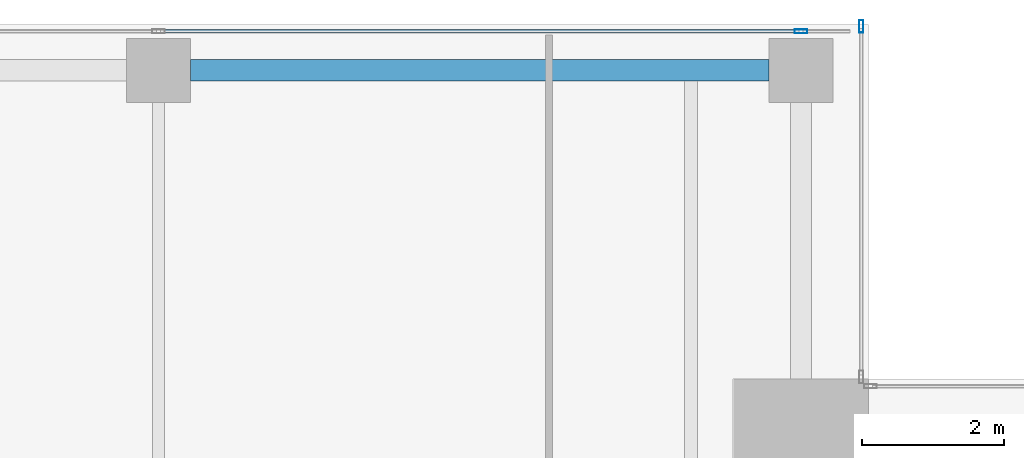
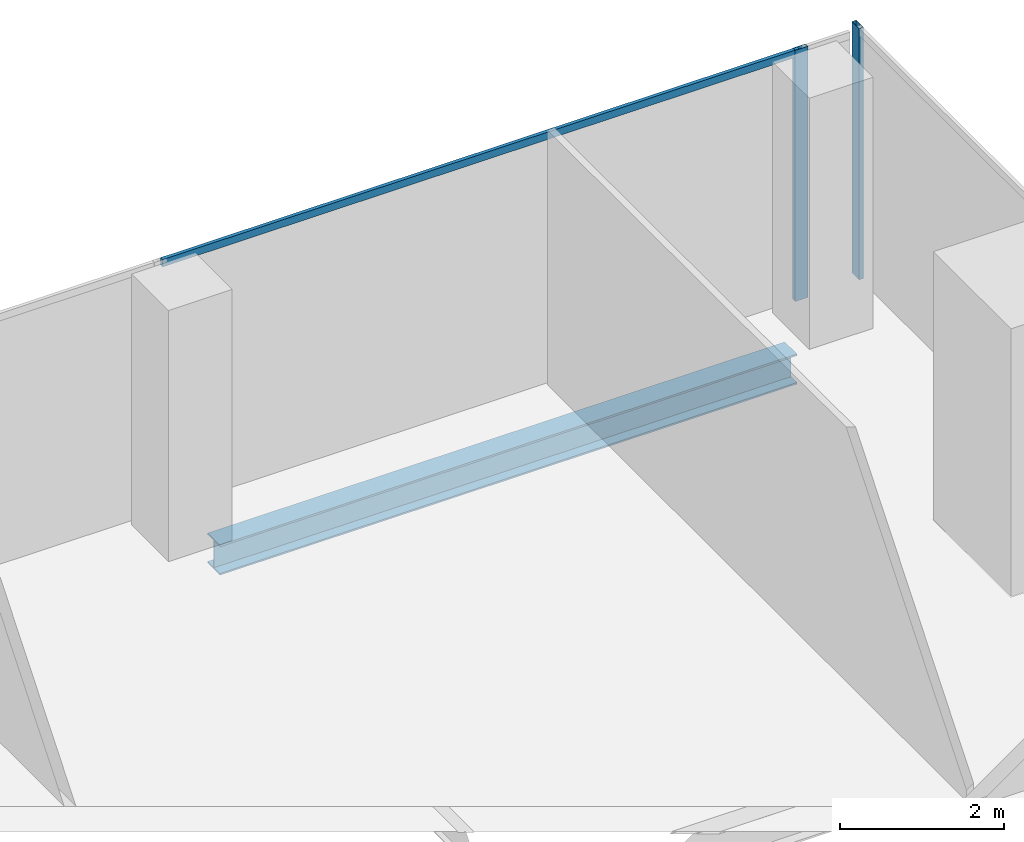
# One storey, part 23 of 35: 3 members, 1 beam, 2 elements without a shape of their own.
"""IFC4 building model written with IfcOpenShell, lengths in metres."""

from ifc_helpers import new_model, si_unit, direction, frame, origin, origin_2d, place, context, subcontext, project, spatial, hollow_rectangle, i_section, extrude, source, transform, mapped, material, material_profile, profile_set, type_object, element, aggregate, save


model = new_model("IFC4")

# Units and contexts
model_context = context("Model", 3, precision=1e-05, world=origin(), true_north=direction((0.0, 1.0)))
body_context = subcontext(model_context, "Body", "Model", "MODEL_VIEW")
ifc_project = project(units=[si_unit("LENGTHUNIT", "METRE"), si_unit("AREAUNIT", "SQUARE_METRE"), si_unit("VOLUMEUNIT", "CUBIC_METRE"), si_unit("PLANEANGLEUNIT", "RADIAN"), si_unit("MASSUNIT", "GRAM", prefix="KILO")], contexts=[model_context])

# Site, building, storey
site_placement = place(None, origin())
site = spatial("IfcSite", under=ifc_project, at=site_placement, CompositionType="ELEMENT")
building_placement = place(site_placement, origin())
building = spatial("IfcBuilding", under=site, at=building_placement, Name="Khomas Fold Tower", CompositionType="ELEMENT")
storey_placement = place(building_placement, frame((0.0, 0.0, 262.199951171875)))
storey = spatial("IfcBuildingStorey", under=building, at=storey_placement, Name="L59", CompositionType="ELEMENT", Elevation=262.199951171875)

# Beam
ifc_material_1 = material(Name="Steel S355", Category="steel")
ifc_material_profile_1 = material_profile(ifc_material_1, i_section(OverallWidth=0.300048828125, OverallDepth=0.449951171875, WebThickness=0.013916015625, FlangeThickness=0.02587890625, at=origin_2d()), Name="HE 450 B")
ifc_profile_set_1 = profile_set([ifc_material_profile_1], Name="Steel S355")
beam_type = type_object("IfcBeamType", Name="HE 450 B spandrel SB4", PredefinedType="SPANDREL", material=ifc_profile_set_1)
shared_shape_1 = source(origin(), body_context, "Body", "SweptSolid", [
    extrude(i_section(OverallWidth=0.300048828125, OverallDepth=0.449951171875, WebThickness=0.013916015625, FlangeThickness=0.02587890625, at=origin_2d()), origin(), (0.0, 0.0, 1.0), 8.150146484375),
])
beam_placement = place(storey_placement, frame((34.949951171875, 48.85009765625, -0.474853515625), z_axis=(1.0, 0.0, 0.0), x_axis=(0.0, 1.0, 0.0)))
element("IfcBeam", 1, at=beam_placement, inside=storey, type_object=beam_type, Name="SB4", PredefinedType="SPANDREL", context=body_context, shape_type="MappedRepresentation", body=[
    mapped(shared_shape_1, transform((0.0, 0.0, 0.0))),
])

# Curtain wall, member
ifc_material_2 = material(Name="Aluminium framed double glazing", Category="aluminium")
curtain_wall_type = type_object("IfcCurtainWallType", Name="SK-Unitised clear-glass wall, office floors CW2", PredefinedType="NOTDEFINED", material=ifc_material_2)
curtain_wall_1_placement = place(storey_placement, origin())
curtain_wall_1 = element("IfcCurtainWall", 2, at=curtain_wall_1_placement, inside=storey, type_object=curtain_wall_type, Name="CW2 corner return L59 05", PredefinedType="NOTDEFINED")
ifc_material_3 = material(Name="Aluminium", Category="aluminium")
ifc_material_profile_2 = material_profile(ifc_material_3, hollow_rectangle(XDim=0.06005859375, YDim=0.179931640625, WallThickness=0.00390625, at=origin_2d()), Name="SK-Unitised clear-glass wall, office floors mullion CW2-M")
ifc_profile_set_2 = profile_set([ifc_material_profile_2], Name="Aluminium")
member_type_1 = type_object("IfcMemberType", Name="SK-Unitised clear-glass wall, office floors mullion CW2-M", PredefinedType="MULLION", material=ifc_profile_set_2)
shared_shape_2 = source(origin(), body_context, "Body", "SweptSolid", [
    extrude(hollow_rectangle(XDim=0.06005859375, YDim=0.179931640625, WallThickness=0.00390625, at=origin_2d()), origin(), (0.0, 0.0, 1.0), 3.75),
])
member_1_placement = place(storey_placement, frame((44.39990234375, 49.469970703125, 0.0), z_axis=(0.0, 0.0, 1.0), x_axis=(-1.0, 0.0, 0.0)))
member_1 = element("IfcMember", 3, at=member_1_placement, type_object=member_type_1, Name="CW2 mullion 2", PredefinedType="MULLION", context=body_context, shape_type="MappedRepresentation", body=[
    mapped(shared_shape_2, transform((0.0, 0.0, 0.0))),
])
aggregate(curtain_wall_1, [member_1])

# Curtain wall, members
curtain_wall_2_placement = place(storey_placement, origin())
curtain_wall_2 = element("IfcCurtainWall", 4, at=curtain_wall_2_placement, inside=storey, type_object=curtain_wall_type, Name="CW2 run L59 06-0", PredefinedType="NOTDEFINED")
member_2_placement = place(storey_placement, frame((43.550048828125, 49.39990234375, 0.0), z_axis=(0.0, 0.0, 1.0), x_axis=(0.0, -1.0, 0.0)))
member_2 = element("IfcMember", 5, at=member_2_placement, type_object=member_type_1, Name="CW2 mullion 2", PredefinedType="MULLION", context=body_context, shape_type="MappedRepresentation", body=[
    mapped(shared_shape_2, transform((0.0, 0.0, 0.0))),
])
ifc_material_4 = material(Name="Aluminium", Category="aluminium")
ifc_material_profile_3 = material_profile(ifc_material_4, hollow_rectangle(XDim=0.050048828125, YDim=0.110107421875, WallThickness=0.00390625, at=origin_2d()), Name="SK-Unitised clear-glass wall, office floors transom CW2-T")
ifc_profile_set_3 = profile_set([ifc_material_profile_3], Name="Aluminium")
member_type_2 = type_object("IfcMemberType", Name="SK-Unitised clear-glass wall, office floors transom CW2-T", PredefinedType="USERDEFINED", material=ifc_profile_set_3)
shared_shape_3 = source(origin(), body_context, "Body", "SweptSolid", [
    extrude(hollow_rectangle(XDim=0.050048828125, YDim=0.110107421875, WallThickness=0.00390625, at=origin_2d()), origin(), (0.0, 0.0, 1.0), 8.989990234375),
])
member_3_placement = place(storey_placement, frame((43.52001953125, 49.39990234375, 3.695068359375), z_axis=(-1.0, 0.0, 0.0), x_axis=(0.0, -1.0, 0.0)))
member_3 = element("IfcMember", 6, at=member_3_placement, type_object=member_type_2, Name="CW2 transom 2", ObjectType="TRANSOM", PredefinedType="USERDEFINED", context=body_context, shape_type="MappedRepresentation", body=[
    mapped(shared_shape_3, transform((0.0, 0.0, 0.0))),
])
aggregate(curtain_wall_2, [member_2, member_3])

save(model, "model.ifc")
